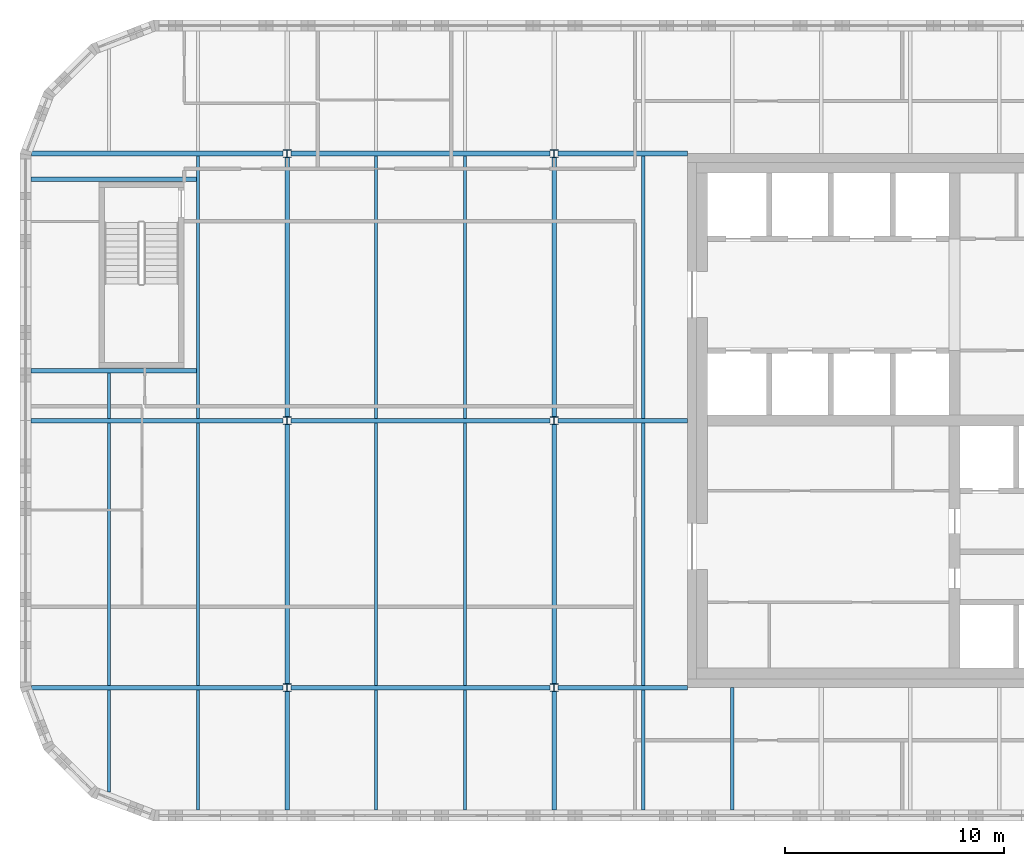
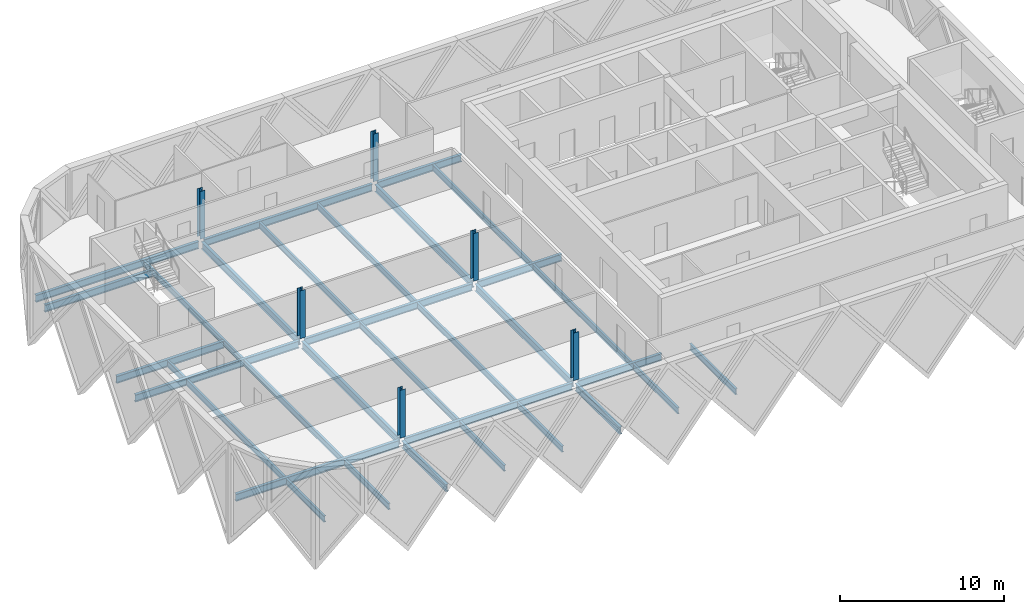
# One storey, part 1 of 12: 33 beams, 6 columns.
"""IFC4 building model written with IfcOpenShell, lengths in metres."""

from ifc_helpers import new_model, si_unit, direction, frame, origin, origin_2d, place, context, subcontext, project, spatial, i_section, extrude, material, material_profile, profile_set, type_object, element, save


model = new_model("IFC4")

# Units and contexts
model_context = context("Model", 3, precision=1e-05, world=origin(), true_north=direction((0.0, 1.0)))
body_context = subcontext(model_context, "Body", "Model", "MODEL_VIEW")
ifc_project = project(units=[si_unit("LENGTHUNIT", "METRE"), si_unit("AREAUNIT", "SQUARE_METRE"), si_unit("VOLUMEUNIT", "CUBIC_METRE"), si_unit("PLANEANGLEUNIT", "RADIAN"), si_unit("MASSUNIT", "GRAM", prefix="KILO")], contexts=[model_context])

# Site, building, storey
site_placement = place(None, origin())
site = spatial("IfcSite", under=ifc_project, at=site_placement, CompositionType="ELEMENT")
building_placement = place(site_placement, origin())
building = spatial("IfcBuilding", under=site, at=building_placement, Name="Tessera Gate Towers", CompositionType="ELEMENT")
storey_placement = place(building_placement, frame((0.0, 0.0, 255.89990234375)))
storey = spatial("IfcBuildingStorey", under=building, at=storey_placement, Name="L64", CompositionType="ELEMENT", Elevation=255.89990234375)

# Columns
ifc_material_1 = material(Name="Steel 350W", Category="steel")
ifc_material_profile_1 = material_profile(ifc_material_1, i_section(OverallWidth=0.368896484375, OverallDepth=0.35595703125, WebThickness=0.01123046875, FlangeThickness=0.01806640625, at=origin_2d()), Name="W360x134")
ifc_profile_set_1 = profile_set([ifc_material_profile_1], Name="Steel 350W")
column_type = type_object("IfcColumnType", Name="STEEL COLUMN W360x134", PredefinedType="COLUMN", material=ifc_profile_set_1)
for number, where, z_axis, x_axis, name in (
    (1, (12.199951171875, 24.39990234375, 0.0), (0.0, 0.0, 1.0), (1.0, 0.0, 0.0), "T1-COL-2C-L64"),
    (2, (12.199951171875, 36.60009765625, 0.0), (0.0, 0.0, 1.0), (1.0, 0.0, 0.0), "T1-COL-2D-L64"),
    (3, (12.199951171875, 48.800048828125, 0.0), (0.0, 0.0, 1.0), (1.0, 0.0, 0.0), "T1-COL-2E-L64"),
    (4, (24.39990234375, 24.39990234375, 0.0), (0.0, 0.0, 1.0), (1.0, 0.0, 0.0), "T1-COL-3C-L64"),
    (5, (24.39990234375, 36.60009765625, 0.0), (0.0, 0.0, 1.0), (1.0, 0.0, 0.0), "T1-COL-3D-L64"),
    (6, (24.39990234375, 48.800048828125, 0.0), (0.0, 0.0, 1.0), (1.0, 0.0, 0.0), "T1-COL-3E-L64"),
):
    element("IfcColumn", number, at=place(storey_placement, frame(where, z_axis=z_axis, x_axis=x_axis)), inside=storey, type_object=column_type, Name=name, PredefinedType="COLUMN", context=body_context, shape_type="SweptSolid", body=[
        extrude(i_section(OverallWidth=0.368896484375, OverallDepth=0.35595703125, WebThickness=0.01123046875, FlangeThickness=0.01806640625, at=origin_2d()), origin(), (0.0, 0.0, 1.0), 3.550048828125),
    ])

# Beams
ifc_material_2 = material(Name="Steel 350W", Category="steel")
ifc_material_profile_2 = material_profile(ifc_material_2, i_section(OverallWidth=0.208984375, OverallDepth=0.532958984375, WebThickness=0.01025390625, FlangeThickness=0.015625, at=origin_2d()), Name="W530x92")
ifc_profile_set_2 = profile_set([ifc_material_profile_2], Name="Steel 350W")
beam_type_1 = type_object("IfcBeamType", Name="FLOOR GIRDER W530x92", PredefinedType="BEAM", material=ifc_profile_set_2)
beam_1_placement = place(storey_placement, frame((0.534912109375, 24.39990234375, -0.46630859375), z_axis=(1.0, 0.0, 0.0), x_axis=(0.0, 1.0, 0.0)))
element("IfcBeam", 7, at=beam_1_placement, inside=storey, type_object=beam_type_1, Name="T1-GD-L64-6247", PredefinedType="BEAM", context=body_context, shape_type="SweptSolid", body=[
    extrude(i_section(OverallWidth=0.208984375, OverallDepth=0.532958984375, WebThickness=0.01025390625, FlangeThickness=0.015625, at=origin_2d()), origin(), (0.0, 0.0, 1.0), 11.48046875),
])
beam_2_placement = place(storey_placement, frame((12.384521484375, 24.39990234375, -0.46630859375), z_axis=(1.0, 0.0, 0.0), x_axis=(0.0, 1.0, 0.0)))
element("IfcBeam", 8, at=beam_2_placement, inside=storey, type_object=beam_type_1, Name="T1-GD-L64-6248", PredefinedType="BEAM", context=body_context, shape_type="SweptSolid", body=[
    extrude(i_section(OverallWidth=0.208984375, OverallDepth=0.532958984375, WebThickness=0.01025390625, FlangeThickness=0.015625, at=origin_2d()), origin(), (0.0, 0.0, 1.0), 11.8310546875),
])
beam_3_placement = place(storey_placement, frame((24.58447265625, 24.39990234375, -0.46630859375), z_axis=(1.0, 0.0, 0.0), x_axis=(0.0, 1.0, 0.0)))
element("IfcBeam", 9, at=beam_3_placement, inside=storey, type_object=beam_type_1, Name="T1-GD-L64-6249", PredefinedType="BEAM", context=body_context, shape_type="SweptSolid", body=[
    extrude(i_section(OverallWidth=0.208984375, OverallDepth=0.532958984375, WebThickness=0.01025390625, FlangeThickness=0.015625, at=origin_2d()), origin(), (0.0, 0.0, 1.0), 5.91455078125),
])
beam_4_placement = place(storey_placement, frame((0.4990234375, 36.60009765625, -0.46630859375), z_axis=(1.0, 0.0, 0.0), x_axis=(0.0, 1.0, 0.0)))
element("IfcBeam", 10, at=beam_4_placement, inside=storey, type_object=beam_type_1, Name="T1-GD-L64-6251", PredefinedType="BEAM", context=body_context, shape_type="SweptSolid", body=[
    extrude(i_section(OverallWidth=0.208984375, OverallDepth=0.532958984375, WebThickness=0.01025390625, FlangeThickness=0.015625, at=origin_2d()), origin(), (0.0, 0.0, 1.0), 11.516357421875),
])
beam_5_placement = place(storey_placement, frame((12.384521484375, 36.60009765625, -0.46630859375), z_axis=(1.0, 0.0, 0.0), x_axis=(0.0, 1.0, 0.0)))
element("IfcBeam", 11, at=beam_5_placement, inside=storey, type_object=beam_type_1, Name="T1-GD-L64-6252", PredefinedType="BEAM", context=body_context, shape_type="SweptSolid", body=[
    extrude(i_section(OverallWidth=0.208984375, OverallDepth=0.532958984375, WebThickness=0.01025390625, FlangeThickness=0.015625, at=origin_2d()), origin(), (0.0, 0.0, 1.0), 11.8310546875),
])
beam_6_placement = place(storey_placement, frame((24.58447265625, 36.60009765625, -0.46630859375), z_axis=(1.0, 0.0, 0.0), x_axis=(0.0, 1.0, 0.0)))
element("IfcBeam", 12, at=beam_6_placement, inside=storey, type_object=beam_type_1, Name="T1-GD-L64-6253", PredefinedType="BEAM", context=body_context, shape_type="SweptSolid", body=[
    extrude(i_section(OverallWidth=0.208984375, OverallDepth=0.532958984375, WebThickness=0.01025390625, FlangeThickness=0.015625, at=origin_2d()), origin(), (0.0, 0.0, 1.0), 5.91650390625),
])
beam_7_placement = place(storey_placement, frame((0.534912109375, 48.800048828125, -0.46630859375), z_axis=(1.0, 0.0, 0.0), x_axis=(0.0, 1.0, 0.0)))
element("IfcBeam", 13, at=beam_7_placement, inside=storey, type_object=beam_type_1, Name="T1-GD-L64-6255", PredefinedType="BEAM", context=body_context, shape_type="SweptSolid", body=[
    extrude(i_section(OverallWidth=0.208984375, OverallDepth=0.532958984375, WebThickness=0.01025390625, FlangeThickness=0.015625, at=origin_2d()), origin(), (0.0, 0.0, 1.0), 11.48046875),
])
beam_8_placement = place(storey_placement, frame((12.384521484375, 48.800048828125, -0.46630859375), z_axis=(1.0, 0.0, 0.0), x_axis=(0.0, 1.0, 0.0)))
element("IfcBeam", 14, at=beam_8_placement, inside=storey, type_object=beam_type_1, Name="T1-GD-L64-6256", PredefinedType="BEAM", context=body_context, shape_type="SweptSolid", body=[
    extrude(i_section(OverallWidth=0.208984375, OverallDepth=0.532958984375, WebThickness=0.01025390625, FlangeThickness=0.015625, at=origin_2d()), origin(), (0.0, 0.0, 1.0), 11.8310546875),
])
beam_9_placement = place(storey_placement, frame((24.58447265625, 48.800048828125, -0.46630859375), z_axis=(1.0, 0.0, 0.0), x_axis=(0.0, 1.0, 0.0)))
element("IfcBeam", 15, at=beam_9_placement, inside=storey, type_object=beam_type_1, Name="T1-GD-L64-6257", PredefinedType="BEAM", context=body_context, shape_type="SweptSolid", body=[
    extrude(i_section(OverallWidth=0.208984375, OverallDepth=0.532958984375, WebThickness=0.01025390625, FlangeThickness=0.015625, at=origin_2d()), origin(), (0.0, 0.0, 1.0), 5.91455078125),
])
beam_10_placement = place(storey_placement, frame((12.199951171875, 18.799072265625, -0.46630859375), z_axis=(0.0, 1.0, 0.0), x_axis=(-1.0, 0.0, 0.0)))
element("IfcBeam", 16, at=beam_10_placement, inside=storey, type_object=beam_type_1, Name="T1-GD-L64-6259", PredefinedType="BEAM", context=body_context, shape_type="SweptSolid", body=[
    extrude(i_section(OverallWidth=0.208984375, OverallDepth=0.532958984375, WebThickness=0.01025390625, FlangeThickness=0.015625, at=origin_2d()), origin(), (0.0, 0.0, 1.0), 5.41650390625),
])
for number, where, z_axis, x_axis, name in (
    (17, (12.199951171875, 24.58447265625, -0.46630859375), (0.0, 1.0, 0.0), (-1.0, 0.0, 0.0), "T1-GD-L64-6260"),
    (18, (12.199951171875, 36.784423828125, -0.46630859375), (0.0, 1.0, 0.0), (-1.0, 0.0, 0.0), "T1-GD-L64-6261"),
):
    element("IfcBeam", number, at=place(storey_placement, frame(where, z_axis=z_axis, x_axis=x_axis)), inside=storey, type_object=beam_type_1, Name=name, PredefinedType="BEAM", context=body_context, shape_type="SweptSolid", body=[
        extrude(i_section(OverallWidth=0.208984375, OverallDepth=0.532958984375, WebThickness=0.01025390625, FlangeThickness=0.015625, at=origin_2d()), origin(), (0.0, 0.0, 1.0), 11.8310546875),
    ])
beam_11_placement = place(storey_placement, frame((24.39990234375, 18.799072265625, -0.46630859375), z_axis=(0.0, 1.0, 0.0), x_axis=(-1.0, 0.0, 0.0)))
element("IfcBeam", 19, at=beam_11_placement, inside=storey, type_object=beam_type_1, Name="T1-GD-L64-6263", PredefinedType="BEAM", context=body_context, shape_type="SweptSolid", body=[
    extrude(i_section(OverallWidth=0.208984375, OverallDepth=0.532958984375, WebThickness=0.01025390625, FlangeThickness=0.015625, at=origin_2d()), origin(), (0.0, 0.0, 1.0), 5.41650390625),
])
for number, where, z_axis, x_axis, name in (
    (20, (24.39990234375, 24.58447265625, -0.46630859375), (0.0, 1.0, 0.0), (-1.0, 0.0, 0.0), "T1-GD-L64-6264"),
    (21, (24.39990234375, 36.784423828125, -0.46630859375), (0.0, 1.0, 0.0), (-1.0, 0.0, 0.0), "T1-GD-L64-6265"),
):
    element("IfcBeam", number, at=place(storey_placement, frame(where, z_axis=z_axis, x_axis=x_axis)), inside=storey, type_object=beam_type_1, Name=name, PredefinedType="BEAM", context=body_context, shape_type="SweptSolid", body=[
        extrude(i_section(OverallWidth=0.208984375, OverallDepth=0.532958984375, WebThickness=0.01025390625, FlangeThickness=0.015625, at=origin_2d()), origin(), (0.0, 0.0, 1.0), 11.8310546875),
    ])
for number, where, z_axis, x_axis, name in (
    (22, (0.4990234375, 38.8798828125, -0.46630859375), (1.0, 0.0, 0.0), (0.0, 1.0, 0.0), "T1-GD-L64-6269"),
    (23, (0.4990234375, 47.6201171875, -0.46630859375), (1.0, 0.0, 0.0), (0.0, 1.0, 0.0), "T1-GD-L64-6270"),
):
    element("IfcBeam", number, at=place(storey_placement, frame(where, z_axis=z_axis, x_axis=x_axis)), inside=storey, type_object=beam_type_1, Name=name, PredefinedType="BEAM", context=body_context, shape_type="SweptSolid", body=[
        extrude(i_section(OverallWidth=0.208984375, OverallDepth=0.532958984375, WebThickness=0.01025390625, FlangeThickness=0.015625, at=origin_2d()), origin(), (0.0, 0.0, 1.0), 7.557861328125),
    ])
ifc_material_3 = material(Name="Steel 350W", Category="steel")
ifc_material_profile_3 = material_profile(ifc_material_3, i_section(OverallWidth=0.153076171875, OverallDepth=0.455078125, WebThickness=0.008056640625, FlangeThickness=0.01318359375, at=origin_2d()), Name="W460x60")
ifc_profile_set_3 = profile_set([ifc_material_profile_3], Name="Steel 350W")
beam_type_2 = type_object("IfcBeamType", Name="FLOOR SECONDARY W460x60", PredefinedType="BEAM", material=ifc_profile_set_3)
beam_12_placement = place(storey_placement, frame((4.066650390625, 19.620361328125, -0.427490234375), z_axis=(0.0, 1.0, 0.0), x_axis=(-1.0, 0.0, 0.0)))
element("IfcBeam", 24, at=beam_12_placement, inside=storey, type_object=beam_type_2, Name="T1-BM-L64-6274", PredefinedType="BEAM", context=body_context, shape_type="SweptSolid", body=[
    extrude(i_section(OverallWidth=0.153076171875, OverallDepth=0.455078125, WebThickness=0.008056640625, FlangeThickness=0.01318359375, at=origin_2d()), origin(), (0.0, 0.0, 1.0), 4.675048828125),
])
beam_13_placement = place(storey_placement, frame((4.066650390625, 24.50439453125, -0.427490234375), z_axis=(0.0, 1.0, 0.0), x_axis=(-1.0, 0.0, 0.0)))
element("IfcBeam", 25, at=beam_13_placement, inside=storey, type_object=beam_type_2, Name="T1-BM-L64-6275", PredefinedType="BEAM", context=body_context, shape_type="SweptSolid", body=[
    extrude(i_section(OverallWidth=0.153076171875, OverallDepth=0.455078125, WebThickness=0.008056640625, FlangeThickness=0.01318359375, at=origin_2d()), origin(), (0.0, 0.0, 1.0), 11.9912109375),
])
beam_14_placement = place(storey_placement, frame((4.066650390625, 36.70458984375, -0.427490234375), z_axis=(0.0, 1.0, 0.0), x_axis=(-1.0, 0.0, 0.0)))
element("IfcBeam", 26, at=beam_14_placement, inside=storey, type_object=beam_type_2, Name="T1-BM-L64-6276", PredefinedType="BEAM", context=body_context, shape_type="SweptSolid", body=[
    extrude(i_section(OverallWidth=0.153076171875, OverallDepth=0.455078125, WebThickness=0.008056640625, FlangeThickness=0.01318359375, at=origin_2d()), origin(), (0.0, 0.0, 1.0), 2.07080078125),
])
beam_15_placement = place(storey_placement, frame((8.13330078125, 18.800048828125, -0.427490234375), z_axis=(0.0, 1.0, 0.0), x_axis=(-1.0, 0.0, 0.0)))
element("IfcBeam", 27, at=beam_15_placement, inside=storey, type_object=beam_type_2, Name="T1-BM-L64-6278", PredefinedType="BEAM", context=body_context, shape_type="SweptSolid", body=[
    extrude(i_section(OverallWidth=0.153076171875, OverallDepth=0.455078125, WebThickness=0.008056640625, FlangeThickness=0.01318359375, at=origin_2d()), origin(), (0.0, 0.0, 1.0), 5.495361328125),
])
beam_16_placement = place(storey_placement, frame((8.13330078125, 24.50439453125, -0.427490234375), z_axis=(0.0, 1.0, 0.0), x_axis=(-1.0, 0.0, 0.0)))
element("IfcBeam", 28, at=beam_16_placement, inside=storey, type_object=beam_type_2, Name="T1-BM-L64-6279", PredefinedType="BEAM", context=body_context, shape_type="SweptSolid", body=[
    extrude(i_section(OverallWidth=0.153076171875, OverallDepth=0.455078125, WebThickness=0.008056640625, FlangeThickness=0.01318359375, at=origin_2d()), origin(), (0.0, 0.0, 1.0), 11.9912109375),
])
beam_17_placement = place(storey_placement, frame((8.13330078125, 36.70458984375, -0.427490234375), z_axis=(0.0, 1.0, 0.0), x_axis=(-1.0, 0.0, 0.0)))
element("IfcBeam", 29, at=beam_17_placement, inside=storey, type_object=beam_type_2, Name="T1-BM-L64-6280", PredefinedType="BEAM", context=body_context, shape_type="SweptSolid", body=[
    extrude(i_section(OverallWidth=0.153076171875, OverallDepth=0.455078125, WebThickness=0.008056640625, FlangeThickness=0.01318359375, at=origin_2d()), origin(), (0.0, 0.0, 1.0), 11.990966796875),
])
beam_18_placement = place(storey_placement, frame((16.2666015625, 18.800048828125, -0.427490234375), z_axis=(0.0, 1.0, 0.0), x_axis=(-1.0, 0.0, 0.0)))
element("IfcBeam", 30, at=beam_18_placement, inside=storey, type_object=beam_type_2, Name="T1-BM-L64-6282", PredefinedType="BEAM", context=body_context, shape_type="SweptSolid", body=[
    extrude(i_section(OverallWidth=0.153076171875, OverallDepth=0.455078125, WebThickness=0.008056640625, FlangeThickness=0.01318359375, at=origin_2d()), origin(), (0.0, 0.0, 1.0), 5.495361328125),
])
beam_19_placement = place(storey_placement, frame((16.2666015625, 24.50439453125, -0.427490234375), z_axis=(0.0, 1.0, 0.0), x_axis=(-1.0, 0.0, 0.0)))
element("IfcBeam", 31, at=beam_19_placement, inside=storey, type_object=beam_type_2, Name="T1-BM-L64-6283", PredefinedType="BEAM", context=body_context, shape_type="SweptSolid", body=[
    extrude(i_section(OverallWidth=0.153076171875, OverallDepth=0.455078125, WebThickness=0.008056640625, FlangeThickness=0.01318359375, at=origin_2d()), origin(), (0.0, 0.0, 1.0), 11.9912109375),
])
beam_20_placement = place(storey_placement, frame((16.2666015625, 36.70458984375, -0.427490234375), z_axis=(0.0, 1.0, 0.0), x_axis=(-1.0, 0.0, 0.0)))
element("IfcBeam", 32, at=beam_20_placement, inside=storey, type_object=beam_type_2, Name="T1-BM-L64-6284", PredefinedType="BEAM", context=body_context, shape_type="SweptSolid", body=[
    extrude(i_section(OverallWidth=0.153076171875, OverallDepth=0.455078125, WebThickness=0.008056640625, FlangeThickness=0.01318359375, at=origin_2d()), origin(), (0.0, 0.0, 1.0), 11.990966796875),
])
beam_21_placement = place(storey_placement, frame((20.333251953125, 18.800048828125, -0.427490234375), z_axis=(0.0, 1.0, 0.0), x_axis=(-1.0, 0.0, 0.0)))
element("IfcBeam", 33, at=beam_21_placement, inside=storey, type_object=beam_type_2, Name="T1-BM-L64-6286", PredefinedType="BEAM", context=body_context, shape_type="SweptSolid", body=[
    extrude(i_section(OverallWidth=0.153076171875, OverallDepth=0.455078125, WebThickness=0.008056640625, FlangeThickness=0.01318359375, at=origin_2d()), origin(), (0.0, 0.0, 1.0), 5.495361328125),
])
beam_22_placement = place(storey_placement, frame((20.333251953125, 24.50439453125, -0.427490234375), z_axis=(0.0, 1.0, 0.0), x_axis=(-1.0, 0.0, 0.0)))
element("IfcBeam", 34, at=beam_22_placement, inside=storey, type_object=beam_type_2, Name="T1-BM-L64-6287", PredefinedType="BEAM", context=body_context, shape_type="SweptSolid", body=[
    extrude(i_section(OverallWidth=0.153076171875, OverallDepth=0.455078125, WebThickness=0.008056640625, FlangeThickness=0.01318359375, at=origin_2d()), origin(), (0.0, 0.0, 1.0), 11.9912109375),
])
beam_23_placement = place(storey_placement, frame((20.333251953125, 36.70458984375, -0.427490234375), z_axis=(0.0, 1.0, 0.0), x_axis=(-1.0, 0.0, 0.0)))
element("IfcBeam", 35, at=beam_23_placement, inside=storey, type_object=beam_type_2, Name="T1-BM-L64-6288", PredefinedType="BEAM", context=body_context, shape_type="SweptSolid", body=[
    extrude(i_section(OverallWidth=0.153076171875, OverallDepth=0.455078125, WebThickness=0.008056640625, FlangeThickness=0.01318359375, at=origin_2d()), origin(), (0.0, 0.0, 1.0), 11.990966796875),
])
beam_24_placement = place(storey_placement, frame((28.466796875, 18.800048828125, -0.427490234375), z_axis=(0.0, 1.0, 0.0), x_axis=(-1.0, 0.0, 0.0)))
element("IfcBeam", 36, at=beam_24_placement, inside=storey, type_object=beam_type_2, Name="T1-BM-L64-6290", PredefinedType="BEAM", context=body_context, shape_type="SweptSolid", body=[
    extrude(i_section(OverallWidth=0.153076171875, OverallDepth=0.455078125, WebThickness=0.008056640625, FlangeThickness=0.01318359375, at=origin_2d()), origin(), (0.0, 0.0, 1.0), 5.495361328125),
])
beam_25_placement = place(storey_placement, frame((28.466796875, 24.50439453125, -0.427490234375), z_axis=(0.0, 1.0, 0.0), x_axis=(-1.0, 0.0, 0.0)))
element("IfcBeam", 37, at=beam_25_placement, inside=storey, type_object=beam_type_2, Name="T1-BM-L64-6291", PredefinedType="BEAM", context=body_context, shape_type="SweptSolid", body=[
    extrude(i_section(OverallWidth=0.153076171875, OverallDepth=0.455078125, WebThickness=0.008056640625, FlangeThickness=0.01318359375, at=origin_2d()), origin(), (0.0, 0.0, 1.0), 11.9912109375),
])
beam_26_placement = place(storey_placement, frame((28.466796875, 36.70458984375, -0.427490234375), z_axis=(0.0, 1.0, 0.0), x_axis=(-1.0, 0.0, 0.0)))
element("IfcBeam", 38, at=beam_26_placement, inside=storey, type_object=beam_type_2, Name="T1-BM-L64-6292", PredefinedType="BEAM", context=body_context, shape_type="SweptSolid", body=[
    extrude(i_section(OverallWidth=0.153076171875, OverallDepth=0.455078125, WebThickness=0.008056640625, FlangeThickness=0.01318359375, at=origin_2d()), origin(), (0.0, 0.0, 1.0), 11.990966796875),
])
beam_27_placement = place(storey_placement, frame((32.533203125, 18.800048828125, -0.427490234375), z_axis=(0.0, 1.0, 0.0), x_axis=(-1.0, 0.0, 0.0)))
element("IfcBeam", 39, at=beam_27_placement, inside=storey, type_object=beam_type_2, Name="T1-BM-L64-6294", PredefinedType="BEAM", context=body_context, shape_type="SweptSolid", body=[
    extrude(i_section(OverallWidth=0.153076171875, OverallDepth=0.455078125, WebThickness=0.008056640625, FlangeThickness=0.01318359375, at=origin_2d()), origin(), (0.0, 0.0, 1.0), 5.599853515625),
])

save(model, "model.ifc")
